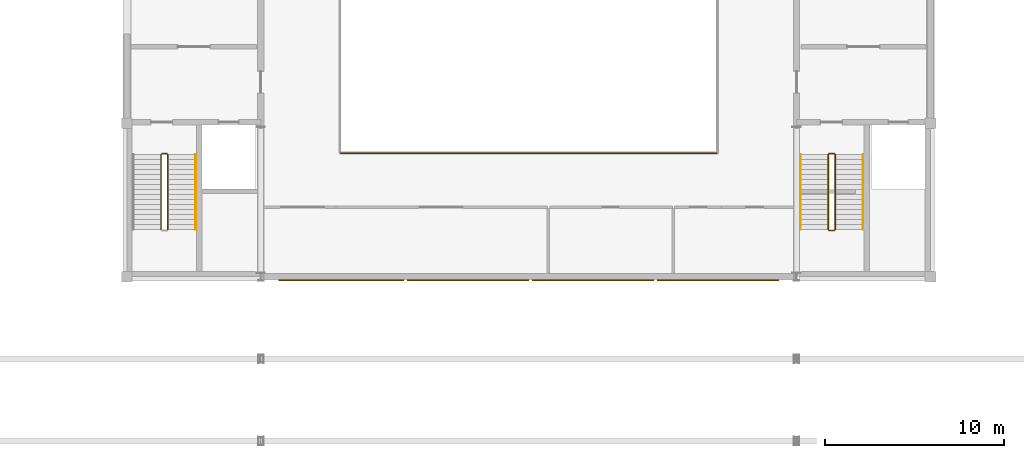
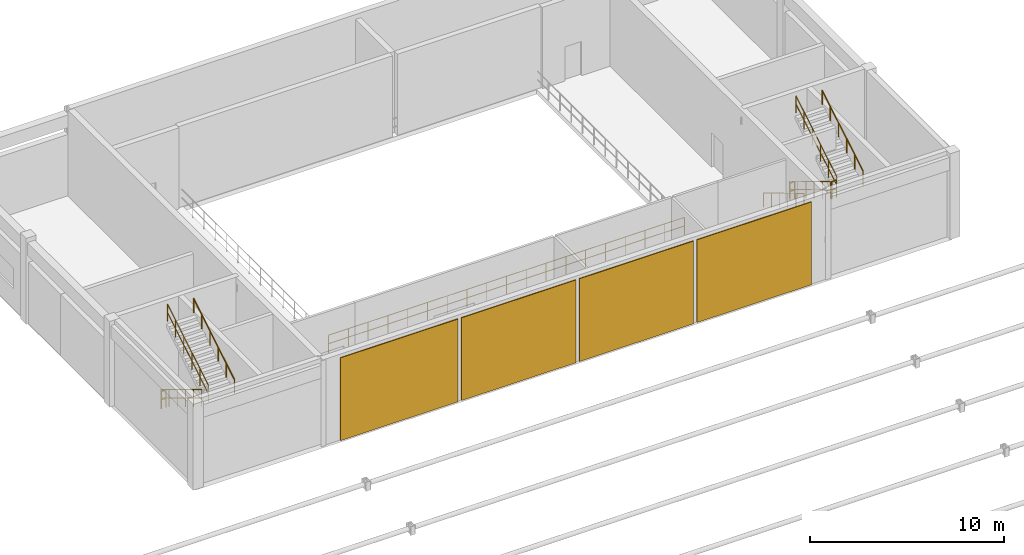
# One storey, part 37 of 38: 11 railings, 4 coverings.
"""IFC4 building model written with IfcOpenShell, lengths in metres."""

from ifc_helpers import new_model, si_unit, direction, frame, origin, origin_2d, place, context, subcontext, project, spatial, rectangle, circle, extrude, material, layer, layer_set, type_object, element, save


model = new_model("IFC4")

# Units and contexts
model_context = context("Model", 3, precision=1e-05, world=origin(), true_north=direction((0.0, 1.0)))
body_context = subcontext(model_context, "Body", "Model", "MODEL_VIEW")
ifc_project = project(units=[si_unit("LENGTHUNIT", "METRE"), si_unit("AREAUNIT", "SQUARE_METRE"), si_unit("VOLUMEUNIT", "CUBIC_METRE"), si_unit("PLANEANGLEUNIT", "RADIAN"), si_unit("MASSUNIT", "GRAM", prefix="KILO")], contexts=[model_context])

# Site, building, storey
site_placement = place(None, origin())
site = spatial("IfcSite", under=ifc_project, at=site_placement, CompositionType="ELEMENT")
building_placement = place(site_placement, origin())
building = spatial("IfcBuilding", under=site, at=building_placement, Name="Muzn Square Opera House", CompositionType="ELEMENT")
storey_placement = place(building_placement, frame((0.0, 0.0, 18.0)))
storey = spatial("IfcBuildingStorey", under=building, at=storey_placement, Name="L04", CompositionType="ELEMENT", Elevation=18.0)

# Railing
ifc_material_1 = material(Name="Architectural bronze mashrabiya", Category="metal")
railing_type_1 = type_object("IfcRailingType", Name="Bronze Protective Balustrade 1120mm", PredefinedType="BALUSTRADE", material=ifc_material_1)
railing_1_placement = place(storey_placement, frame((77.419921875, 79.52001953125, 0.0)))
element("IfcRailing", 1, at=railing_1_placement, inside=storey, type_object=railing_type_1, Name="Void Edge Balustrade L04-0059", PredefinedType="BALUSTRADE", context=body_context, shape_type="SweptSolid", body=[
    extrude(circle(Radius=0.02392578125, at=origin_2d()), frame((0.0, 0.0, 1.09619140625), z_axis=(1.0, 0.0, 0.0), x_axis=(0.0, 1.0, 0.0)), (0.0, 0.0, 1.0), 21.16015625),
    extrude(circle(Radius=0.02392578125, at=origin_2d()), frame((0.0, 0.0, 0.56005859375), z_axis=(1.0, 0.0, 0.0), x_axis=(0.0, 1.0, 0.0)), (0.0, 0.0, 1.0), 21.16015625),
    extrude(circle(Radius=0.02099609375, at=origin_2d()), origin(), (0.0, 0.0, 1.0), 1.072021484375),
    extrude(circle(Radius=0.02099609375, at=origin_2d()), frame((1.175537109375, 0.0, 0.0)), (0.0, 0.0, 1.0), 1.072021484375),
    extrude(circle(Radius=0.02099609375, at=origin_2d()), frame((2.35107421875, 0.0, 0.0)), (0.0, 0.0, 1.0), 1.072021484375),
    extrude(circle(Radius=0.02099609375, at=origin_2d()), frame((3.526611328125, 0.0, 0.0)), (0.0, 0.0, 1.0), 1.072021484375),
    extrude(circle(Radius=0.02099609375, at=origin_2d()), frame((4.7021484375, 0.0, 0.0)), (0.0, 0.0, 1.0), 1.072021484375),
    extrude(circle(Radius=0.02099609375, at=origin_2d()), frame((5.8779296875, 0.0, 0.0)), (0.0, 0.0, 1.0), 1.072021484375),
    extrude(circle(Radius=0.02099609375, at=origin_2d()), frame((7.053466796875, 0.0, 0.0)), (0.0, 0.0, 1.0), 1.072021484375),
    extrude(circle(Radius=0.02099609375, at=origin_2d()), frame((8.22900390625, 0.0, 0.0)), (0.0, 0.0, 1.0), 1.072021484375),
    extrude(circle(Radius=0.02099609375, at=origin_2d()), frame((9.404541015625, 0.0, 0.0)), (0.0, 0.0, 1.0), 1.072021484375),
    extrude(circle(Radius=0.02099609375, at=origin_2d()), frame((10.580078125, 0.0, 0.0)), (0.0, 0.0, 1.0), 1.072021484375),
    extrude(circle(Radius=0.02099609375, at=origin_2d()), frame((11.755615234375, 0.0, 0.0)), (0.0, 0.0, 1.0), 1.072021484375),
    extrude(circle(Radius=0.02099609375, at=origin_2d()), frame((12.93115234375, 0.0, 0.0)), (0.0, 0.0, 1.0), 1.072021484375),
    extrude(circle(Radius=0.02099609375, at=origin_2d()), frame((14.106689453125, 0.0, 0.0)), (0.0, 0.0, 1.0), 1.072021484375),
    extrude(circle(Radius=0.02099609375, at=origin_2d()), frame((15.2822265625, 0.0, 0.0)), (0.0, 0.0, 1.0), 1.072021484375),
    extrude(circle(Radius=0.02099609375, at=origin_2d()), frame((16.4580078125, 0.0, 0.0)), (0.0, 0.0, 1.0), 1.072021484375),
    extrude(circle(Radius=0.02099609375, at=origin_2d()), frame((17.633544921875, 0.0, 0.0)), (0.0, 0.0, 1.0), 1.072021484375),
    extrude(circle(Radius=0.02099609375, at=origin_2d()), frame((18.80908203125, 0.0, 0.0)), (0.0, 0.0, 1.0), 1.072021484375),
    extrude(circle(Radius=0.02099609375, at=origin_2d()), frame((19.984619140625, 0.0, 0.0)), (0.0, 0.0, 1.0), 1.072021484375),
    extrude(circle(Radius=0.02099609375, at=origin_2d()), frame((21.16015625, 0.0, 0.0)), (0.0, 0.0, 1.0), 1.072021484375),
])

# Coverings
ifc_material_2 = material(Name="Honed Riyadh limestone", Category="stone")
ifc_layer = layer(ifc_material_2, 0.06005859375, Name="Honed Riyadh limestone", Category="stone")
ifc_layer_set = layer_set([ifc_layer], Name="Honed Riyadh limestone")
covering_type = type_object("IfcCoveringType", Name="Honed Riyadh Limestone Facade Cladding", PredefinedType="CLADDING", material=ifc_layer_set)
covering_placement = place(storey_placement, frame((77.5, 72.39990234375, 0.0), z_axis=(0.0, 0.0, 1.0), x_axis=(1.0, 0.0, 0.0)))
element("IfcCovering", 2, at=covering_placement, inside=storey, type_object=covering_type, Name="Honed Riyadh Limestone Cladding Panel CLD-FT-L04-01", PredefinedType="CLADDING", context=body_context, shape_type="SweptSolid", body=[
    extrude(rectangle(XDim=7.0, YDim=0.06005859375, at=origin_2d()), origin(), (0.0, 0.0, 1.0), 5.199951171875),
])
for number, where, z_axis, x_axis, name in (
    (3, (84.60009765625, 72.39990234375, 0.0), (0.0, 0.0, 1.0), (1.0, 0.0, 0.0), "Honed Riyadh Limestone Cladding Panel CLD-FT-L04-02"),
    (4, (91.60009765625, 72.39990234375, 0.0), (0.0, 0.0, 1.0), (1.0, 0.0, 0.0), "Honed Riyadh Limestone Cladding Panel CLD-FT-L04-03"),
    (5, (98.60009765625, 72.39990234375, 0.0), (0.0, 0.0, 1.0), (1.0, 0.0, 0.0), "Honed Riyadh Limestone Cladding Panel CLD-FT-L04-04"),
):
    element("IfcCovering", number, at=place(storey_placement, frame(where, z_axis=z_axis, x_axis=x_axis)), inside=storey, type_object=covering_type, Name=name, PredefinedType="CLADDING", context=body_context, shape_type="SweptSolid", body=[
        extrude(rectangle(XDim=6.800048828125, YDim=0.06005859375, at=origin_2d()), origin(), (0.0, 0.0, 1.0), 5.199951171875),
    ])

# Railings
ifc_material_3 = material(Name="Brushed stainless steel", Category="metal")
railing_type_2 = type_object("IfcRailingType", Name="Stair Guard Railing 1120mm", PredefinedType="GUARDRAIL", material=ifc_material_3)
railing_2_placement = place(storey_placement, frame((67.409912109375, 79.43994140625, 0.168701171875)))
element("IfcRailing", 6, at=railing_2_placement, inside=storey, type_object=railing_type_2, Name="L04 ST-1 stair guard 1", PredefinedType="GUARDRAIL", context=body_context, shape_type="SweptSolid", body=[
    extrude(circle(Radius=0.02392578125, at=origin_2d()), frame((0.0, 0.0, 1.076171875), z_axis=(0.0, -0.856476492594, 0.516186030065), x_axis=(1.0, 0.0, 0.0)), (0.0, 0.0, 1.0), 4.90380859375),
    extrude(circle(Radius=0.02392578125, at=origin_2d()), frame((0.0, 0.0, 0.550048828125), z_axis=(0.0, -0.856476492594, 0.516186030065), x_axis=(1.0, 0.0, 0.0)), (0.0, 0.0, 1.0), 4.90380859375),
    extrude(circle(Radius=0.02099609375, at=origin_2d()), origin(), (0.0, 0.0, 1.0), 1.052001953125),
    extrude(circle(Radius=0.02099609375, at=origin_2d()), frame((0.0, -0.840087890625, 0.50634765625)), (0.0, 0.0, 1.0), 1.052001953125),
    extrude(circle(Radius=0.02099609375, at=origin_2d()), frame((0.0, -1.679931640625, 1.012451171875)), (0.0, 0.0, 1.0), 1.052001953125),
    extrude(circle(Radius=0.02099609375, at=origin_2d()), frame((0.0, -2.52001953125, 1.518798828125)), (0.0, 0.0, 1.0), 1.052001953125),
    extrude(circle(Radius=0.02099609375, at=origin_2d()), frame((0.0, -3.35986328125, 2.02490234375)), (0.0, 0.0, 1.0), 1.052001953125),
    extrude(circle(Radius=0.02099609375, at=origin_2d()), frame((0.0, -4.199951171875, 2.53125)), (0.0, 0.0, 1.0), 1.052001953125),
])
railing_3_placement = place(storey_placement, frame((67.7900390625, 75.239990234375, 2.86865234375)))
element("IfcRailing", 7, at=railing_3_placement, inside=storey, type_object=railing_type_2, Name="L04 ST-1 stair guard 3", PredefinedType="GUARDRAIL", context=body_context, shape_type="SweptSolid", body=[
    extrude(circle(Radius=0.02392578125, at=origin_2d()), frame((0.0, 0.0, 1.076171875), z_axis=(0.0, 0.856476492594, 0.516186030065), x_axis=(-1.0, 0.0, 0.0)), (0.0, 0.0, 1.0), 4.90380859375),
    extrude(circle(Radius=0.02392578125, at=origin_2d()), frame((0.0, 0.0, 0.550048828125), z_axis=(0.0, 0.856476492594, 0.516186030065), x_axis=(-1.0, 0.0, 0.0)), (0.0, 0.0, 1.0), 4.90380859375),
    extrude(circle(Radius=0.02099609375, at=origin_2d()), origin(), (0.0, 0.0, 1.0), 1.052001953125),
    extrude(circle(Radius=0.02099609375, at=origin_2d()), frame((0.0, 0.840087890625, 0.50634765625)), (0.0, 0.0, 1.0), 1.052001953125),
    extrude(circle(Radius=0.02099609375, at=origin_2d()), frame((0.0, 1.679931640625, 1.012451171875)), (0.0, 0.0, 1.0), 1.052001953125),
    extrude(circle(Radius=0.02099609375, at=origin_2d()), frame((0.0, 2.52001953125, 1.518798828125)), (0.0, 0.0, 1.0), 1.052001953125),
    extrude(circle(Radius=0.02099609375, at=origin_2d()), frame((0.0, 3.35986328125, 2.02490234375)), (0.0, 0.0, 1.0), 1.052001953125),
    extrude(circle(Radius=0.02099609375, at=origin_2d()), frame((0.0, 4.199951171875, 2.53125)), (0.0, 0.0, 1.0), 1.052001953125),
])
railing_4_placement = place(storey_placement, frame((67.4599609375, 79.489990234375, 0.0)))
element("IfcRailing", 8, at=railing_4_placement, inside=storey, type_object=railing_type_2, Name="L04 ST-1 stair guard 4", PredefinedType="GUARDRAIL", context=body_context, shape_type="SweptSolid", body=[
    extrude(circle(Radius=0.02392578125, at=origin_2d()), frame((0.0, 0.0, 1.076171875), z_axis=(1.0, 0.0, 0.0), x_axis=(0.0, 1.0, 0.0)), (0.0, 0.0, 1.0), 0.280029296875),
    extrude(circle(Radius=0.02392578125, at=origin_2d()), frame((0.0, 0.0, 0.550048828125), z_axis=(1.0, 0.0, 0.0), x_axis=(0.0, 1.0, 0.0)), (0.0, 0.0, 1.0), 0.280029296875),
    extrude(circle(Radius=0.02099609375, at=origin_2d()), origin(), (0.0, 0.0, 1.0), 1.052001953125),
    extrude(circle(Radius=0.02099609375, at=origin_2d()), frame((0.280029296875, 0.0, 0.0)), (0.0, 0.0, 1.0), 1.052001953125),
])
railing_5_placement = place(storey_placement, frame((104.780029296875, 79.43994140625, 0.168701171875)))
element("IfcRailing", 9, at=railing_5_placement, inside=storey, type_object=railing_type_2, Name="L04 ST-2 stair guard 1", PredefinedType="GUARDRAIL", context=body_context, shape_type="SweptSolid", body=[
    extrude(circle(Radius=0.02392578125, at=origin_2d()), frame((0.0, 0.0, 1.076171875), z_axis=(0.0, -0.856476492594, 0.516186030065), x_axis=(1.0, 0.0, 0.0)), (0.0, 0.0, 1.0), 4.90380859375),
    extrude(circle(Radius=0.02392578125, at=origin_2d()), frame((0.0, 0.0, 0.550048828125), z_axis=(0.0, -0.856476492594, 0.516186030065), x_axis=(1.0, 0.0, 0.0)), (0.0, 0.0, 1.0), 4.90380859375),
    extrude(circle(Radius=0.02099609375, at=origin_2d()), origin(), (0.0, 0.0, 1.0), 1.052001953125),
    extrude(circle(Radius=0.02099609375, at=origin_2d()), frame((0.0, -0.840087890625, 0.50634765625)), (0.0, 0.0, 1.0), 1.052001953125),
    extrude(circle(Radius=0.02099609375, at=origin_2d()), frame((0.0, -1.679931640625, 1.012451171875)), (0.0, 0.0, 1.0), 1.052001953125),
    extrude(circle(Radius=0.02099609375, at=origin_2d()), frame((0.0, -2.52001953125, 1.518798828125)), (0.0, 0.0, 1.0), 1.052001953125),
    extrude(circle(Radius=0.02099609375, at=origin_2d()), frame((0.0, -3.35986328125, 2.02490234375)), (0.0, 0.0, 1.0), 1.052001953125),
    extrude(circle(Radius=0.02099609375, at=origin_2d()), frame((0.0, -4.199951171875, 2.53125)), (0.0, 0.0, 1.0), 1.052001953125),
])
railing_6_placement = place(storey_placement, frame((104.830078125, 75.18994140625, 2.699951171875)))
element("IfcRailing", 10, at=railing_6_placement, inside=storey, type_object=railing_type_2, Name="L04 ST-2 stair guard 2", PredefinedType="GUARDRAIL", context=body_context, shape_type="SweptSolid", body=[
    extrude(circle(Radius=0.02392578125, at=origin_2d()), frame((0.0, 0.0, 1.076171875), z_axis=(1.0, 0.0, 0.0), x_axis=(0.0, 1.0, 0.0)), (0.0, 0.0, 1.0), 0.280029296875),
    extrude(circle(Radius=0.02392578125, at=origin_2d()), frame((0.0, 0.0, 0.550048828125), z_axis=(1.0, 0.0, 0.0), x_axis=(0.0, 1.0, 0.0)), (0.0, 0.0, 1.0), 0.280029296875),
    extrude(circle(Radius=0.02099609375, at=origin_2d()), origin(), (0.0, 0.0, 1.0), 1.052001953125),
    extrude(circle(Radius=0.02099609375, at=origin_2d()), frame((0.280029296875, 0.0, 0.0)), (0.0, 0.0, 1.0), 1.052001953125),
])
railing_7_placement = place(storey_placement, frame((105.159912109375, 75.239990234375, 2.86865234375)))
element("IfcRailing", 11, at=railing_7_placement, inside=storey, type_object=railing_type_2, Name="L04 ST-2 stair guard 3", PredefinedType="GUARDRAIL", context=body_context, shape_type="SweptSolid", body=[
    extrude(circle(Radius=0.02392578125, at=origin_2d()), frame((0.0, 0.0, 1.076171875), z_axis=(0.0, 0.856476492594, 0.516186030065), x_axis=(-1.0, 0.0, 0.0)), (0.0, 0.0, 1.0), 4.90380859375),
    extrude(circle(Radius=0.02392578125, at=origin_2d()), frame((0.0, 0.0, 0.550048828125), z_axis=(0.0, 0.856476492594, 0.516186030065), x_axis=(-1.0, 0.0, 0.0)), (0.0, 0.0, 1.0), 4.90380859375),
    extrude(circle(Radius=0.02099609375, at=origin_2d()), origin(), (0.0, 0.0, 1.0), 1.052001953125),
    extrude(circle(Radius=0.02099609375, at=origin_2d()), frame((0.0, 0.840087890625, 0.50634765625)), (0.0, 0.0, 1.0), 1.052001953125),
    extrude(circle(Radius=0.02099609375, at=origin_2d()), frame((0.0, 1.679931640625, 1.012451171875)), (0.0, 0.0, 1.0), 1.052001953125),
    extrude(circle(Radius=0.02099609375, at=origin_2d()), frame((0.0, 2.52001953125, 1.518798828125)), (0.0, 0.0, 1.0), 1.052001953125),
    extrude(circle(Radius=0.02099609375, at=origin_2d()), frame((0.0, 3.35986328125, 2.02490234375)), (0.0, 0.0, 1.0), 1.052001953125),
    extrude(circle(Radius=0.02099609375, at=origin_2d()), frame((0.0, 4.199951171875, 2.53125)), (0.0, 0.0, 1.0), 1.052001953125),
])
railing_8_placement = place(storey_placement, frame((104.830078125, 79.489990234375, 0.0)))
element("IfcRailing", 12, at=railing_8_placement, inside=storey, type_object=railing_type_2, Name="L04 ST-2 stair guard 4", PredefinedType="GUARDRAIL", context=body_context, shape_type="SweptSolid", body=[
    extrude(circle(Radius=0.02392578125, at=origin_2d()), frame((0.0, 0.0, 1.076171875), z_axis=(1.0, 0.0, 0.0), x_axis=(0.0, 1.0, 0.0)), (0.0, 0.0, 1.0), 0.280029296875),
    extrude(circle(Radius=0.02392578125, at=origin_2d()), frame((0.0, 0.0, 0.550048828125), z_axis=(1.0, 0.0, 0.0), x_axis=(0.0, 1.0, 0.0)), (0.0, 0.0, 1.0), 0.280029296875),
    extrude(circle(Radius=0.02099609375, at=origin_2d()), origin(), (0.0, 0.0, 1.0), 1.052001953125),
    extrude(circle(Radius=0.02099609375, at=origin_2d()), frame((0.280029296875, 0.0, 0.0)), (0.0, 0.0, 1.0), 1.052001953125),
])
railing_type_3 = type_object("IfcRailingType", Name="Stair Pitch Handrail 900mm", PredefinedType="HANDRAIL", material=ifc_material_3)
railing_9_placement = place(storey_placement, frame((69.35009765625, 75.239990234375, 2.86865234375)))
element("IfcRailing", 13, at=railing_9_placement, inside=storey, type_object=railing_type_3, Name="L04 ST-1 stair handrail 2", PredefinedType="HANDRAIL", context=body_context, shape_type="SweptSolid", body=[
    extrude(circle(Radius=0.02392578125, at=origin_2d()), frame((0.0, 0.0, 0.8759765625), z_axis=(0.0, 0.856476492594, 0.516186030065), x_axis=(-1.0, 0.0, 0.0)), (0.0, 0.0, 1.0), 4.90380859375),
    extrude(circle(Radius=0.02099609375, at=origin_2d()), origin(), (0.0, 0.0, 1.0), 0.851806640625),
    extrude(circle(Radius=0.02099609375, at=origin_2d()), frame((0.0, 0.840087890625, 0.50634765625)), (0.0, 0.0, 1.0), 0.851806640625),
    extrude(circle(Radius=0.02099609375, at=origin_2d()), frame((0.0, 1.679931640625, 1.012451171875)), (0.0, 0.0, 1.0), 0.851806640625),
    extrude(circle(Radius=0.02099609375, at=origin_2d()), frame((0.0, 2.52001953125, 1.518798828125)), (0.0, 0.0, 1.0), 0.851806640625),
    extrude(circle(Radius=0.02099609375, at=origin_2d()), frame((0.0, 3.35986328125, 2.02490234375)), (0.0, 0.0, 1.0), 0.851806640625),
    extrude(circle(Radius=0.02099609375, at=origin_2d()), frame((0.0, 4.199951171875, 2.53125)), (0.0, 0.0, 1.0), 0.851806640625),
])
railing_10_placement = place(storey_placement, frame((103.219970703125, 79.43994140625, 0.168701171875)))
element("IfcRailing", 14, at=railing_10_placement, inside=storey, type_object=railing_type_3, Name="L04 ST-2 stair handrail 1", PredefinedType="HANDRAIL", context=body_context, shape_type="SweptSolid", body=[
    extrude(circle(Radius=0.02392578125, at=origin_2d()), frame((0.0, 0.0, 0.8759765625), z_axis=(0.0, -0.856476492594, 0.516186030065), x_axis=(1.0, 0.0, 0.0)), (0.0, 0.0, 1.0), 4.90380859375),
    extrude(circle(Radius=0.02099609375, at=origin_2d()), origin(), (0.0, 0.0, 1.0), 0.851806640625),
    extrude(circle(Radius=0.02099609375, at=origin_2d()), frame((0.0, -0.840087890625, 0.50634765625)), (0.0, 0.0, 1.0), 0.851806640625),
    extrude(circle(Radius=0.02099609375, at=origin_2d()), frame((0.0, -1.679931640625, 1.012451171875)), (0.0, 0.0, 1.0), 0.851806640625),
    extrude(circle(Radius=0.02099609375, at=origin_2d()), frame((0.0, -2.52001953125, 1.518798828125)), (0.0, 0.0, 1.0), 0.851806640625),
    extrude(circle(Radius=0.02099609375, at=origin_2d()), frame((0.0, -3.35986328125, 2.02490234375)), (0.0, 0.0, 1.0), 0.851806640625),
    extrude(circle(Radius=0.02099609375, at=origin_2d()), frame((0.0, -4.199951171875, 2.53125)), (0.0, 0.0, 1.0), 0.851806640625),
])
railing_11_placement = place(storey_placement, frame((106.719970703125, 75.239990234375, 2.86865234375)))
element("IfcRailing", 15, at=railing_11_placement, inside=storey, type_object=railing_type_3, Name="L04 ST-2 stair handrail 2", PredefinedType="HANDRAIL", context=body_context, shape_type="SweptSolid", body=[
    extrude(circle(Radius=0.02392578125, at=origin_2d()), frame((0.0, 0.0, 0.8759765625), z_axis=(0.0, 0.856476492594, 0.516186030065), x_axis=(-1.0, 0.0, 0.0)), (0.0, 0.0, 1.0), 4.90380859375),
    extrude(circle(Radius=0.02099609375, at=origin_2d()), origin(), (0.0, 0.0, 1.0), 0.851806640625),
    extrude(circle(Radius=0.02099609375, at=origin_2d()), frame((0.0, 0.840087890625, 0.50634765625)), (0.0, 0.0, 1.0), 0.851806640625),
    extrude(circle(Radius=0.02099609375, at=origin_2d()), frame((0.0, 1.679931640625, 1.012451171875)), (0.0, 0.0, 1.0), 0.851806640625),
    extrude(circle(Radius=0.02099609375, at=origin_2d()), frame((0.0, 2.52001953125, 1.518798828125)), (0.0, 0.0, 1.0), 0.851806640625),
    extrude(circle(Radius=0.02099609375, at=origin_2d()), frame((0.0, 3.35986328125, 2.02490234375)), (0.0, 0.0, 1.0), 0.851806640625),
    extrude(circle(Radius=0.02099609375, at=origin_2d()), frame((0.0, 4.199951171875, 2.53125)), (0.0, 0.0, 1.0), 0.851806640625),
])

save(model, "model.ifc")
